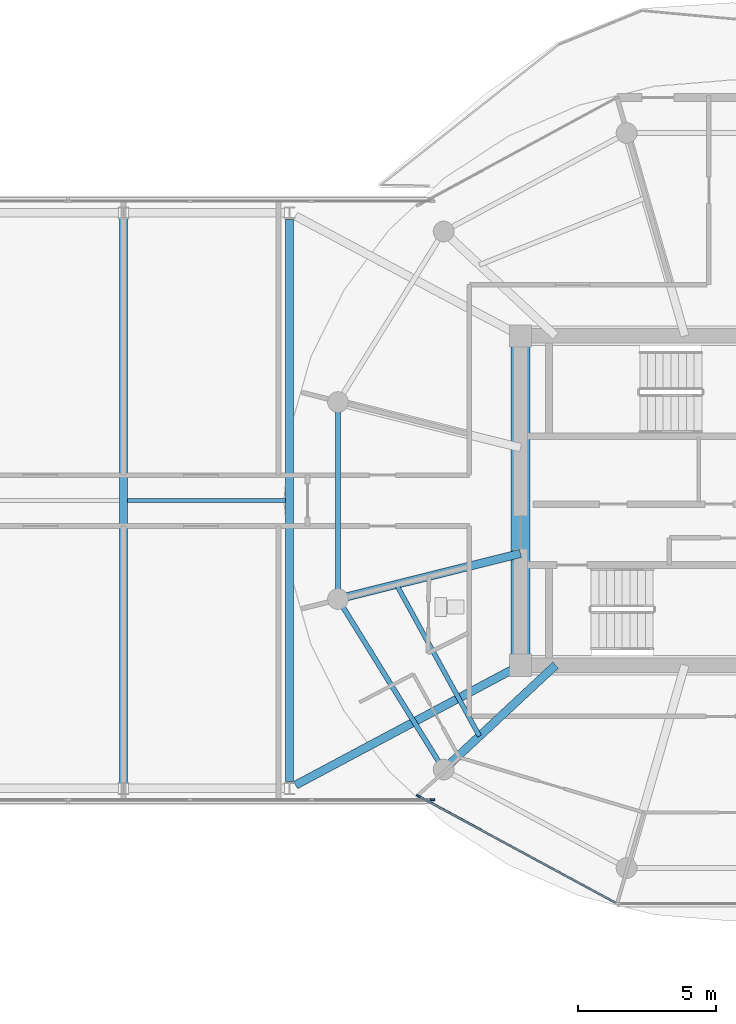
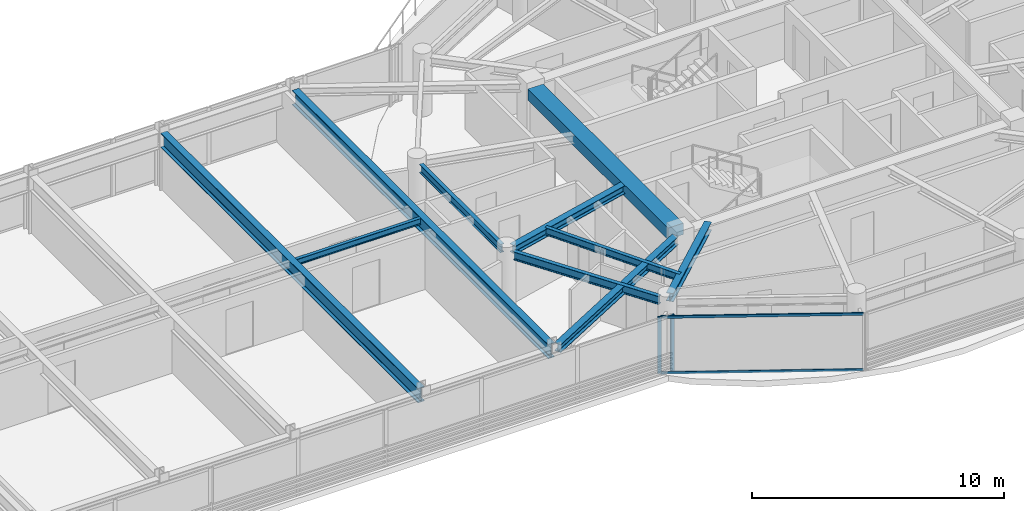
# One storey, part 7 of 24: 10 beams, 4 members, 2 elements without a shape of their own.
"""IFC4 building model written with IfcOpenShell, lengths in metres."""

from ifc_helpers import new_model, si_unit, direction, frame, origin, origin_2d, place, context, subcontext, project, spatial, rectangle, i_section, extrude, source, transform, mapped, material, layer, layer_set, material_profile, profile_set, type_object, type_shapes, element, aggregate, save


model = new_model("IFC4")

# Units and contexts
model_context = context("Model", 3, precision=1e-05, world=origin(), true_north=direction((0.0, 1.0)))
body_context = subcontext(model_context, "Body", "Model", "MODEL_VIEW")
ifc_project = project(units=[si_unit("LENGTHUNIT", "METRE"), si_unit("AREAUNIT", "SQUARE_METRE"), si_unit("VOLUMEUNIT", "CUBIC_METRE"), si_unit("PLANEANGLEUNIT", "RADIAN"), si_unit("MASSUNIT", "GRAM", prefix="KILO")], contexts=[model_context])

# Site, building, storey
site_placement = place(None, origin())
site = spatial("IfcSite", under=ifc_project, at=site_placement, CompositionType="ELEMENT")
building_placement = place(site_placement, origin())
building = spatial("IfcBuilding", under=site, at=building_placement, Name="Norrkilde Senior Care Towers", CompositionType="ELEMENT")
storey_placement = place(building_placement, frame((0.0, 0.0, 226.10009765625)))
storey = spatial("IfcBuildingStorey", under=building, at=storey_placement, Name="L70", CompositionType="ELEMENT", Elevation=226.10009765625)

# Beams
ifc_material_1 = material(Name="Concrete C60/75", Category="concrete")
ifc_material_profile_1 = material_profile(ifc_material_1, rectangle(XDim=0.699951171875, YDim=0.550048828125, at=origin_2d()), Name="RC BM 700x550")
ifc_profile_set_1 = profile_set([ifc_material_profile_1], Name="Concrete C60/75")
beam_type_1 = type_object("IfcBeamType", Name="Core Portal Coupling Beam 700x550", PredefinedType="USERDEFINED", material=ifc_profile_set_1)
shared_shape_1 = source(origin(), body_context, "Body", "SweptSolid", [
    extrude(rectangle(XDim=0.699951171875, YDim=0.550048828125, at=origin_2d()), origin(), (0.0, 0.0, 1.0), 11.14013671875),
])
type_shapes(beam_type_1, [shared_shape_1])
beam_1_placement = place(storey_placement, frame((20.35009765625, -5.570068359375, 2.48486328125), z_axis=(0.0, 1.0, 0.0), x_axis=(-1.0, 0.0, 0.0)))
element("IfcBeam", 1, at=beam_1_placement, inside=storey, type_object=beam_type_1, Name="L70 Core E W Coupling Girder", ObjectType="GIRDER", PredefinedType="USERDEFINED", context=body_context, shape_type="MappedRepresentation", body=[
    mapped(shared_shape_1, transform((0.0, 0.0, 0.0), x_axis=(1.0, 0.0, 0.0), y_axis=(0.0, 1.0, 0.0), z_axis=(0.0, 0.0, 1.0), scale=1.0)),
])
ifc_material_2 = material(Name="Steel S355", Category="steel")
ifc_material_profile_2 = material_profile(ifc_material_2, i_section(OverallWidth=0.179931640625, OverallDepth=0.39990234375, WebThickness=0.008544921875, FlangeThickness=0.013427734375, FilletRadius=0.02099609375, at=origin_2d()), Name="IPE 400")
ifc_profile_set_2 = profile_set([ifc_material_profile_2], Name="Steel S355")
beam_type_2 = type_object("IfcBeamType", Name="Perimeter Ring Spandrel Z4 IPE400", PredefinedType="SPANDREL", material=ifc_profile_set_2)
shared_shape_2 = source(origin(), body_context, "Body", "SweptSolid", [
    extrude(i_section(OverallWidth=0.179931640625, OverallDepth=0.39990234375, WebThickness=0.008544921875, FlangeThickness=0.013427734375, FilletRadius=0.02099609375, at=origin_2d()), origin(), (0.0, 0.0, 1.0), 6.58056640625),
])
beam_2_placement = place(storey_placement, frame((13.928955078125, -3.843505859375, 2.559814453125), z_axis=(0.526529583789, -0.850156807533, 0.0), x_axis=(0.850156807533, 0.526529583789, 0.0)))
element("IfcBeam", 2, at=beam_2_placement, inside=storey, type_object=beam_type_2, Name="L70 Drum E Perimeter Spandrel 07", PredefinedType="SPANDREL", context=body_context, shape_type="MappedRepresentation", body=[
    mapped(shared_shape_2, transform((0.0, 0.0, 0.0), x_axis=(1.0, 0.0, 0.0), y_axis=(0.0, 1.0, 0.0), z_axis=(0.0, 0.0, 1.0), scale=1.0)),
])
ifc_material_profile_3 = material_profile(ifc_material_2, i_section(OverallWidth=0.300048828125, OverallDepth=0.39990234375, WebThickness=0.013427734375, FlangeThickness=0.02392578125, FilletRadius=0.027099609375, at=origin_2d()), Name="HEB 400")
ifc_profile_set_3 = profile_set([ifc_material_profile_3], Name="Steel S355")
beam_type_3 = type_object("IfcBeamType", Name="Radial Floor Beam Z4 HEB400", PredefinedType="BEAM", material=ifc_profile_set_3)
shared_shape_3 = source(origin(), body_context, "Body", "SweptSolid", [
    extrude(i_section(OverallWidth=0.300048828125, OverallDepth=0.39990234375, WebThickness=0.013427734375, FlangeThickness=0.02392578125, FilletRadius=0.027099609375, at=origin_2d()), origin(), (0.0, 0.0, 1.0), 6.465087890625),
])
beam_3_placement = place(storey_placement, frame((20.35009765625, -1.910888671875, 2.559814453125), z_axis=(-0.970195788563, -0.242322371758, 0.0), x_axis=(0.242322371758, -0.970195788563, 0.0)))
element("IfcBeam", 3, at=beam_3_placement, inside=storey, type_object=beam_type_3, Name="L70 Drum E Radial Floor Beam 07", PredefinedType="BEAM", context=body_context, shape_type="MappedRepresentation", body=[
    mapped(shared_shape_3, transform((0.0, 0.0, 0.0), x_axis=(1.0, 0.0, 0.0), y_axis=(0.0, 1.0, 0.0), z_axis=(0.0, 0.0, 1.0), scale=1.0)),
])
shared_shape_4 = source(origin(), body_context, "Body", "SweptSolid", [
    extrude(i_section(OverallWidth=0.300048828125, OverallDepth=0.39990234375, WebThickness=0.013427734375, FlangeThickness=0.02392578125, FilletRadius=0.027099609375, at=origin_2d()), origin(), (0.0, 0.0, 1.0), 5.197998046875),
])
beam_4_placement = place(storey_placement, frame((21.6171875, -5.949951171875, 2.559814453125), z_axis=(-0.731448749334, -0.681896419625, 0.0), x_axis=(0.681896419625, -0.731448749334, 0.0)))
element("IfcBeam", 4, at=beam_4_placement, inside=storey, type_object=beam_type_3, Name="L70 Drum E Radial Floor Beam 08", PredefinedType="BEAM", context=body_context, shape_type="MappedRepresentation", body=[
    mapped(shared_shape_4, transform((0.0, 0.0, 0.0), x_axis=(1.0, 0.0, 0.0), y_axis=(0.0, 1.0, 0.0), z_axis=(0.0, 0.0, 1.0), scale=1.0)),
])
shared_shape_5 = source(origin(), body_context, "Body", "SweptSolid", [
    extrude(i_section(OverallWidth=0.179931640625, OverallDepth=0.39990234375, WebThickness=0.008544921875, FlangeThickness=0.013427734375, FilletRadius=0.02099609375, at=origin_2d()), origin(), (0.0, 0.0, 1.0), 6.44775390625),
])
type_shapes(beam_type_2, [shared_shape_2, shared_shape_5])
beam_5_placement = place(storey_placement, frame((13.752685546875, 3.223876953125, 2.559814453125), z_axis=(0.0, -1.0, 0.0), x_axis=(1.0, 0.0, 0.0)))
element("IfcBeam", 5, at=beam_5_placement, inside=storey, type_object=beam_type_2, Name="L70 Drum E Perimeter Spandrel 06", PredefinedType="SPANDREL", context=body_context, shape_type="MappedRepresentation", body=[
    mapped(shared_shape_5, transform((0.0, 0.0, 0.0), x_axis=(1.0, 0.0, 0.0), y_axis=(0.0, 1.0, 0.0), z_axis=(0.0, 0.0, 1.0), scale=1.0)),
])
ifc_material_profile_4 = material_profile(ifc_material_2, i_section(OverallWidth=0.169921875, OverallDepth=0.360107421875, WebThickness=0.008056640625, FlangeThickness=0.0126953125, FilletRadius=0.01806640625, at=origin_2d()), Name="IPE 360")
ifc_profile_set_4 = profile_set([ifc_material_profile_4], Name="Steel S355")
beam_type_4 = type_object("IfcBeamType", Name="Secondary Floor Joist IPE360", PredefinedType="JOIST", material=ifc_profile_set_4)
shared_shape_6 = source(origin(), body_context, "Body", "SweptSolid", [
    extrude(i_section(OverallWidth=0.169921875, OverallDepth=0.360107421875, WebThickness=0.008056640625, FlangeThickness=0.0126953125, FilletRadius=0.01806640625, at=origin_2d()), origin(), (0.0, 0.0, 1.0), 6.25146484375),
])
type_shapes(beam_type_4, [shared_shape_6])
beam_6_placement = place(storey_placement, frame((15.86376953125, -3.031494140625, 2.579833984375), z_axis=(0.480115752653, -0.877205143655, 0.0), x_axis=(0.877205143655, 0.480115752653, 0.0)))
element("IfcBeam", 6, at=beam_6_placement, inside=storey, type_object=beam_type_4, Name="L70 Drum E Secondary Floor Joist 3", PredefinedType="JOIST", context=body_context, shape_type="MappedRepresentation", body=[
    mapped(shared_shape_6, transform((0.0, 0.0, 0.0), x_axis=(1.0, 0.0, 0.0), y_axis=(0.0, 1.0, 0.0), z_axis=(0.0, 0.0, 1.0), scale=1.0)),
])
ifc_material_profile_5 = material_profile(ifc_material_2, i_section(OverallWidth=0.300048828125, OverallDepth=0.699951171875, WebThickness=0.01708984375, FlangeThickness=0.031982421875, FilletRadius=0.027099609375, at=origin_2d()), Name="HEB 700")
ifc_profile_set_5 = profile_set([ifc_material_profile_5], Name="Steel S355")
beam_type_5 = type_object("IfcBeamType", Name="Bridge Cross Girder HEB700", PredefinedType="USERDEFINED", material=ifc_profile_set_5)
shared_shape_7 = source(origin(), body_context, "Body", "SweptSolid", [
    extrude(i_section(OverallWidth=0.300048828125, OverallDepth=0.699951171875, WebThickness=0.01708984375, FlangeThickness=0.031982421875, FilletRadius=0.027099609375, at=origin_2d()), origin(), (0.0, 0.0, 1.0), 20.31982421875),
])
beam_7_placement = place(storey_placement, frame((12.0, -10.159912109375, 2.409912109375), z_axis=(0.0, 1.0, 0.0), x_axis=(-1.0, 0.0, 0.0)))
element("IfcBeam", 7, at=beam_7_placement, inside=storey, type_object=beam_type_5, Name="L70 Sky-Gate Bridge Cross Girder +12", ObjectType="GIRDER", PredefinedType="USERDEFINED", context=body_context, shape_type="MappedRepresentation", body=[
    mapped(shared_shape_7, transform((0.0, 0.0, 0.0), x_axis=(1.0, 0.0, 0.0), y_axis=(0.0, 1.0, 0.0), z_axis=(0.0, 0.0, 1.0), scale=1.0)),
])
shared_shape_8 = source(origin(), body_context, "Body", "SweptSolid", [
    extrude(i_section(OverallWidth=0.300048828125, OverallDepth=0.699951171875, WebThickness=0.01708984375, FlangeThickness=0.031982421875, FilletRadius=0.027099609375, at=origin_2d()), origin(), (0.0, 0.0, 1.0), 20.43994140625),
])
type_shapes(beam_type_5, [shared_shape_7, shared_shape_8])
beam_8_placement = place(storey_placement, frame((6.0, -10.219970703125, 2.409912109375), z_axis=(0.0, 1.0, 0.0), x_axis=(-1.0, 0.0, 0.0)))
element("IfcBeam", 8, at=beam_8_placement, inside=storey, type_object=beam_type_5, Name="L70 Sky-Gate Bridge Cross Girder +6", ObjectType="GIRDER", PredefinedType="USERDEFINED", context=body_context, shape_type="MappedRepresentation", body=[
    mapped(shared_shape_8, transform((0.0, 0.0, 0.0), x_axis=(1.0, 0.0, 0.0), y_axis=(0.0, 1.0, 0.0), z_axis=(0.0, 0.0, 1.0), scale=1.0)),
])
shared_shape_9 = source(origin(), body_context, "Body", "SweptSolid", [
    extrude(i_section(OverallWidth=0.300048828125, OverallDepth=0.39990234375, WebThickness=0.013427734375, FlangeThickness=0.02392578125, FilletRadius=0.027099609375, at=origin_2d()), origin(), (0.0, 0.0, 1.0), 8.831787109375),
])
type_shapes(beam_type_3, [shared_shape_3, shared_shape_4, shared_shape_9])
beam_9_placement = place(storey_placement, frame((12.220703125, -10.282470703125, 2.559814453125), z_axis=(0.882492172381, 0.470327083727, 0.0), x_axis=(-0.470327083727, 0.882492172381, 0.0)))
element("IfcBeam", 9, at=beam_9_placement, inside=storey, type_object=beam_type_3, Name="L70 Sky-Gate Bridge Girder S6", PredefinedType="BEAM", context=body_context, shape_type="MappedRepresentation", body=[
    mapped(shared_shape_9, transform((0.0, 0.0, 0.0), x_axis=(1.0, 0.0, 0.0), y_axis=(0.0, 1.0, 0.0), z_axis=(0.0, 0.0, 1.0), scale=1.0)),
])
ifc_material_profile_6 = material_profile(ifc_material_2, i_section(OverallWidth=0.14990234375, OverallDepth=0.300048828125, WebThickness=0.007080078125, FlangeThickness=0.0107421875, FilletRadius=0.014892578125, at=origin_2d()), Name="IPE 300")
ifc_profile_set_6 = profile_set([ifc_material_profile_6], Name="Steel S355")
beam_type_6 = type_object("IfcBeamType", Name="Bridge Deck Joist IPE300", PredefinedType="JOIST", material=ifc_profile_set_6)
shared_shape_10 = source(origin(), body_context, "Body", "SweptSolid", [
    extrude(i_section(OverallWidth=0.14990234375, OverallDepth=0.300048828125, WebThickness=0.007080078125, FlangeThickness=0.0107421875, FilletRadius=0.014892578125, at=origin_2d()), origin(), (0.0, 0.0, 1.0), 5.7099609375),
])
type_shapes(beam_type_6, [shared_shape_10])
beam_10_placement = place(storey_placement, frame((6.14501953125, 0.0, 2.60986328125), z_axis=(1.0, 0.0, 0.0), x_axis=(0.0, 1.0, 0.0)))
element("IfcBeam", 10, at=beam_10_placement, inside=storey, type_object=beam_type_6, Name="L70 Bridge Deck Joist 4", PredefinedType="JOIST", context=body_context, shape_type="MappedRepresentation", body=[
    mapped(shared_shape_10, transform((0.0, 0.0, 0.0), x_axis=(1.0, 0.0, 0.0), y_axis=(0.0, 1.0, 0.0), z_axis=(0.0, 0.0, 1.0), scale=1.0)),
])

# Curtain wall, members
ifc_material_3 = material(Name="Triple Low-E Insulated Glazing", Category="glass")
ifc_layer_1 = layer(ifc_material_3, 0.18505859375)
ifc_layer_set_1 = layer_set([ifc_layer_1], Name="Triple Low-E Insulated Glazing")
curtain_wall_type_1 = type_object("IfcCurtainWallType", Name="CW6 Zone 4 Crown Pavilion Curtain Wall", PredefinedType="NOTDEFINED", material=ifc_layer_set_1)
curtain_wall_1_placement = place(storey_placement, origin())
curtain_wall_1 = element("IfcCurtainWall", 11, at=curtain_wall_1_placement, inside=storey, type_object=curtain_wall_type_1, Name="L70 Drum E Curtain Wall 07", PredefinedType="NOTDEFINED")
ifc_material_4 = material(Name="Anodised Aluminium", Category="aluminium")
ifc_material_profile_7 = material_profile(ifc_material_4, rectangle(XDim=0.06005859375, YDim=0.1201171875, at=origin_2d()), Name="ALU TRAN 60x120")
ifc_profile_set_7 = profile_set([ifc_material_profile_7], Name="Anodised Aluminium")
member_type_1 = type_object("IfcMemberType", Name="Curtain Wall Transom Typical 60x120", PredefinedType="USERDEFINED", material=ifc_profile_set_7)
shared_shape_11 = source(origin(), body_context, "Body", "SweptSolid", [
    extrude(rectangle(XDim=0.06005859375, YDim=0.1201171875, at=origin_2d()), origin(), (0.0, 0.0, 1.0), 8.0673828125),
])
type_shapes(member_type_1, [shared_shape_11])
member_1_placement = place(storey_placement, frame((23.781005859375, -14.53515625, 0.02978515625), z_axis=(-0.87937750072, 0.476125205411, 0.0), x_axis=(-0.476125205411, -0.87937750072, 0.0)))
member_1 = element("IfcMember", 12, at=member_1_placement, type_object=member_type_1, Name="CW-6 transom 1.1", ObjectType="TRANSOM", PredefinedType="USERDEFINED", context=body_context, shape_type="MappedRepresentation", body=[
    mapped(shared_shape_11, transform((0.0, 0.0, 0.0), x_axis=(1.0, 0.0, 0.0), y_axis=(0.0, 1.0, 0.0), z_axis=(0.0, 0.0, 1.0), scale=1.0)),
])
member_2_placement = place(storey_placement, frame((23.781005859375, -14.53515625, 2.72998046875), z_axis=(-0.87937750072, 0.476125205411, 0.0), x_axis=(-0.476125205411, -0.87937750072, 0.0)))
member_2 = element("IfcMember", 13, at=member_2_placement, type_object=member_type_1, Name="CW-6 transom 1.2", ObjectType="TRANSOM", PredefinedType="USERDEFINED", context=body_context, shape_type="MappedRepresentation", body=[
    mapped(shared_shape_11, transform((0.0, 0.0, 0.0), x_axis=(1.0, 0.0, 0.0), y_axis=(0.0, 1.0, 0.0), z_axis=(0.0, 0.0, 1.0), scale=1.0)),
])
ifc_material_profile_8 = material_profile(ifc_material_4, rectangle(XDim=0.06494140625, YDim=0.14990234375, at=origin_2d()), Name="ALU MULL 65x150")
ifc_profile_set_8 = profile_set([ifc_material_profile_8], Name="Anodised Aluminium")
member_type_2 = type_object("IfcMemberType", Name="Curtain Wall Mullion Z3-Z4 65x150", PredefinedType="MULLION", material=ifc_profile_set_8)
shared_shape_12 = source(origin(), body_context, "Body", "SweptSolid", [
    extrude(rectangle(XDim=0.06494140625, YDim=0.14990234375, at=origin_2d()), origin(), (0.0, 0.0, 1.0), 2.760009765625),
])
type_shapes(member_type_2, [shared_shape_12])
member_3_placement = place(storey_placement, frame((16.658203125, -10.6787109375, 0.0), z_axis=(0.0, 0.0, 1.0), x_axis=(-0.476132676136, -0.879373455772, 0.0)))
member_3 = element("IfcMember", 14, at=member_3_placement, type_object=member_type_2, Name="CW-6 mullion 2", PredefinedType="MULLION", context=body_context, shape_type="MappedRepresentation", body=[
    mapped(shared_shape_12, transform((0.0, 0.0, 0.0), x_axis=(1.0, 0.0, 0.0), y_axis=(0.0, 1.0, 0.0), z_axis=(0.0, 0.0, 1.0), scale=1.0)),
])
aggregate(curtain_wall_1, [member_3, member_1, member_2])

# Curtain wall, member
ifc_layer_2 = layer(ifc_material_3, 0.2099609375)
ifc_layer_set_2 = layer_set([ifc_layer_2], Name="Triple Low-E Insulated Glazing")
curtain_wall_type_2 = type_object("IfcCurtainWallType", Name="CW5 Sky-Gate Bridge Curtain Wall", PredefinedType="NOTDEFINED", material=ifc_layer_set_2)
curtain_wall_2_placement = place(storey_placement, origin())
curtain_wall_2 = element("IfcCurtainWall", 15, at=curtain_wall_2_placement, inside=storey, type_object=curtain_wall_type_2, Name="L70 Sky-Gate Bridge South Curtain Wall 1", PredefinedType="NOTDEFINED")
ifc_material_profile_9 = material_profile(ifc_material_4, rectangle(XDim=0.070068359375, YDim=0.169921875, at=origin_2d()), Name="ALU MULL 70x170")
ifc_profile_set_9 = profile_set([ifc_material_profile_9], Name="Anodised Aluminium")
member_type_3 = type_object("IfcMemberType", Name="Curtain Wall Mullion Heavy 70x170", PredefinedType="MULLION", material=ifc_profile_set_9)
shared_shape_13 = source(origin(), body_context, "Body", "SweptSolid", [
    extrude(rectangle(XDim=0.070068359375, YDim=0.169921875, at=origin_2d()), origin(), (0.0, 0.0, 1.0), 2.760009765625),
])
type_shapes(member_type_3, [shared_shape_13])
member_4_placement = place(storey_placement, frame((17.1650390625, -10.820068359375, 0.0), z_axis=(0.0, 0.0, 1.0), x_axis=(0.0, -1.0, 0.0)))
member_4 = element("IfcMember", 16, at=member_4_placement, type_object=member_type_3, Name="CW-5 mullion 1", PredefinedType="MULLION", context=body_context, shape_type="MappedRepresentation", body=[
    mapped(shared_shape_13, transform((0.0, 0.0, 0.0), x_axis=(1.0, 0.0, 0.0), y_axis=(0.0, 1.0, 0.0), z_axis=(0.0, 0.0, 1.0), scale=1.0)),
])
aggregate(curtain_wall_2, [member_4])

save(model, "model.ifc")
